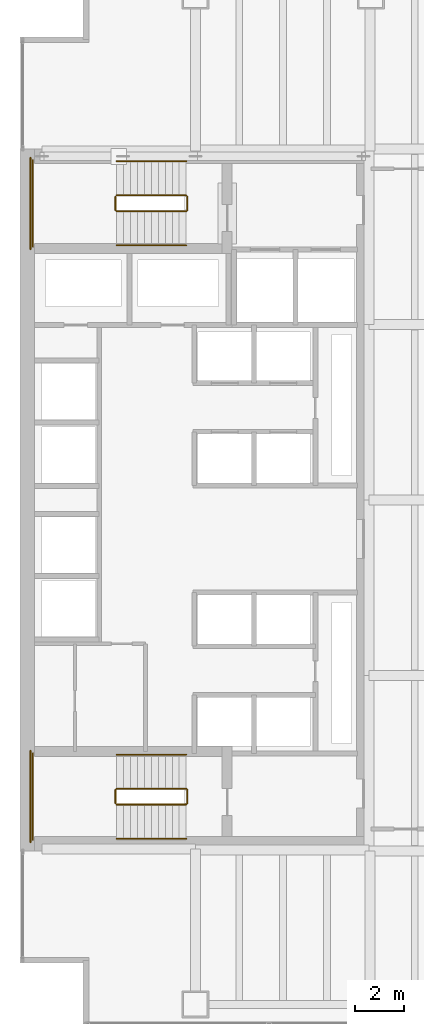
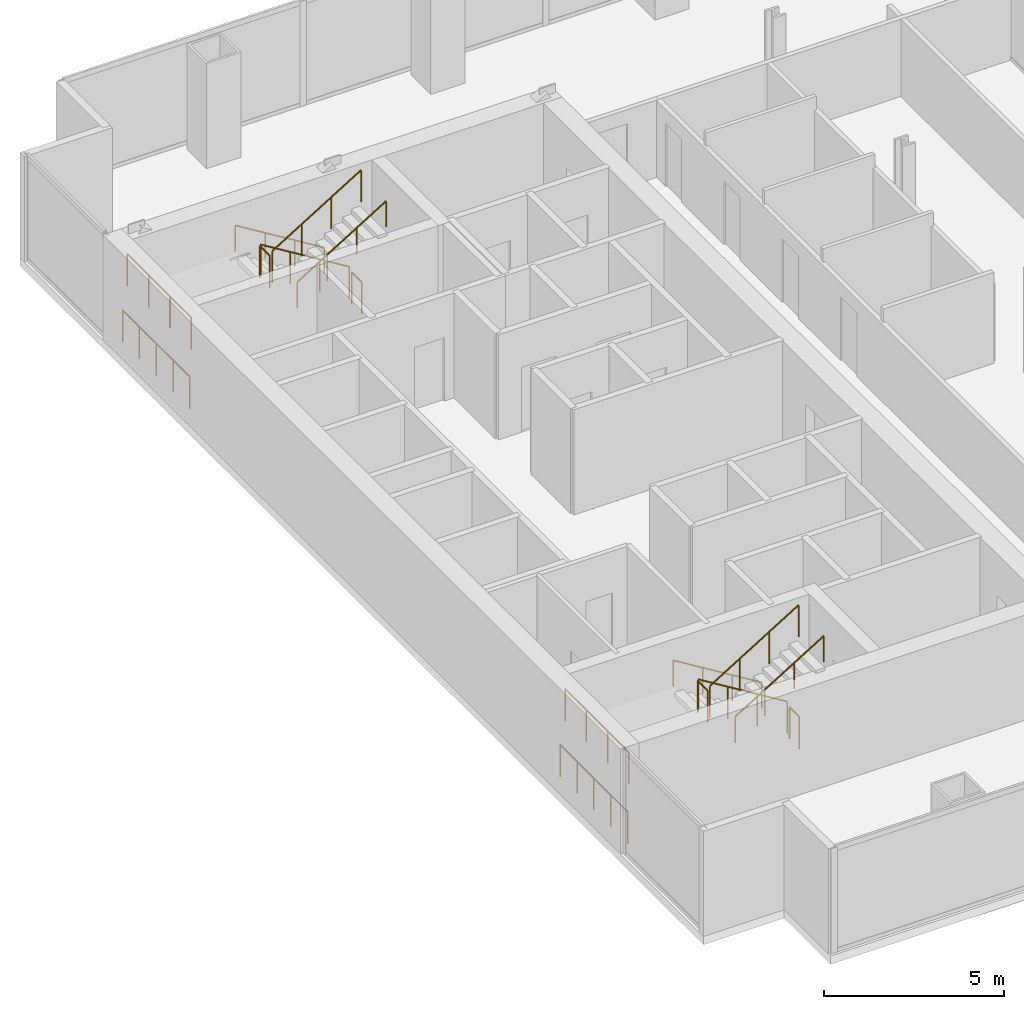
# One storey, part 23 of 23: 16 railings.
"""IFC4 building model written with IfcOpenShell, lengths in metres."""

from ifc_helpers import new_model, si_unit, direction, frame, origin, origin_2d, place, context, subcontext, project, spatial, circle, extrude, material, type_object, element, save


model = new_model("IFC4")

# Units and contexts
model_context = context("Model", 3, precision=1e-05, world=origin(), true_north=direction((0.0, 1.0)))
body_context = subcontext(model_context, "Body", "Model", "MODEL_VIEW")
ifc_project = project(units=[si_unit("LENGTHUNIT", "METRE"), si_unit("AREAUNIT", "SQUARE_METRE"), si_unit("VOLUMEUNIT", "CUBIC_METRE"), si_unit("PLANEANGLEUNIT", "RADIAN"), si_unit("MASSUNIT", "GRAM", prefix="KILO")], contexts=[model_context])

# Site, building, storey
site_placement = place(None, origin())
site = spatial("IfcSite", under=ifc_project, at=site_placement, CompositionType="ELEMENT")
building_placement = place(site_placement, origin())
building = spatial("IfcBuilding", under=site, at=building_placement, Name="Cobrela Telecom Tower", CompositionType="ELEMENT")
storey_placement = place(building_placement, frame((0.0, 0.0, 38.85009765625)))
storey = spatial("IfcBuildingStorey", under=building, at=storey_placement, Name="L09", CompositionType="ELEMENT", Elevation=38.85009765625)

# Railings
ifc_material = material(Name="Steel ASTM A36", Category="steel")
railing_type_1 = type_object("IfcRailingType", Name="RAIL-GUARD-1100", PredefinedType="GUARDRAIL", material=ifc_material)
railing_1_placement = place(storey_placement, frame((6.820068359375, 34.10009765625, 0.1748046875)))
element("IfcRailing", 1, at=railing_1_placement, inside=storey, type_object=railing_type_1, Name="L09 ST1 stair guard 1", PredefinedType="GUARDRAIL", context=body_context, shape_type="SweptSolid", body=[
    extrude(circle(Radius=0.02392578125, at=origin_2d()), frame((0.0, 0.0, 1.076171875), z_axis=(-0.852179220489, 0.0, 0.52325001306), x_axis=(0.0, -1.0, 0.0)), (0.0, 0.0, 1.0), 3.344482421875),
    extrude(circle(Radius=0.02099609375, at=origin_2d()), origin(), (0.0, 0.0, 1.0), 1.052001953125),
    extrude(circle(Radius=0.02099609375, at=origin_2d()), frame((-0.949951171875, 0.0, 0.583251953125)), (0.0, 0.0, 1.0), 1.052001953125),
    extrude(circle(Radius=0.02099609375, at=origin_2d()), frame((-1.900146484375, 0.0, 1.166748046875)), (0.0, 0.0, 1.0), 1.052001953125),
    extrude(circle(Radius=0.02099609375, at=origin_2d()), frame((-2.85009765625, 0.0, 1.75)), (0.0, 0.0, 1.0), 1.052001953125),
])
railing_2_placement = place(storey_placement, frame((3.919921875, 34.050048828125, 1.9248046875)))
element("IfcRailing", 2, at=railing_2_placement, inside=storey, type_object=railing_type_1, Name="L09 ST1 stair guard 2", PredefinedType="GUARDRAIL", context=body_context, shape_type="SweptSolid", body=[
    extrude(circle(Radius=0.02392578125, at=origin_2d()), frame((0.0, 0.0, 1.076171875), z_axis=(0.0, -1.0, 0.0), x_axis=(1.0, 0.0, 0.0)), (0.0, 0.0, 1.0), 0.550048828125),
    extrude(circle(Radius=0.02099609375, at=origin_2d()), origin(), (0.0, 0.0, 1.0), 1.052001953125),
    extrude(circle(Radius=0.02099609375, at=origin_2d()), frame((0.0, -0.550048828125, 0.0)), (0.0, 0.0, 1.0), 1.052001953125),
])
railing_3_placement = place(storey_placement, frame((0.530029296875, 35.550048828125, 1.9248046875)))
element("IfcRailing", 3, at=railing_3_placement, inside=storey, type_object=railing_type_1, Name="L09 ST1 stair guard 3", PredefinedType="GUARDRAIL", context=body_context, shape_type="SweptSolid", body=[
    extrude(circle(Radius=0.02392578125, at=origin_2d()), frame((0.0, 0.0, 1.076171875), z_axis=(0.0, -1.0, 0.0), x_axis=(1.0, 0.0, 0.0)), (0.0, 0.0, 1.0), 3.550048828125),
    extrude(circle(Radius=0.02099609375, at=origin_2d()), origin(), (0.0, 0.0, 1.0), 1.052001953125),
    extrude(circle(Radius=0.02099609375, at=origin_2d()), frame((0.0, -1.183349609375, 0.0)), (0.0, 0.0, 1.0), 1.052001953125),
    extrude(circle(Radius=0.02099609375, at=origin_2d()), frame((0.0, -2.36669921875, 0.0)), (0.0, 0.0, 1.0), 1.052001953125),
    extrude(circle(Radius=0.02099609375, at=origin_2d()), frame((0.0, -3.550048828125, 0.0)), (0.0, 0.0, 1.0), 1.052001953125),
])
railing_4_placement = place(storey_placement, frame((3.969970703125, 33.449951171875, 2.099853515625)))
element("IfcRailing", 4, at=railing_4_placement, inside=storey, type_object=railing_type_1, Name="L09 ST1 stair guard 4", PredefinedType="GUARDRAIL", context=body_context, shape_type="SweptSolid", body=[
    extrude(circle(Radius=0.02392578125, at=origin_2d()), frame((0.0, 0.0, 1.076171875), z_axis=(0.852179220489, 0.0, 0.52325001306), x_axis=(0.0, 1.0, 0.0)), (0.0, 0.0, 1.0), 3.344482421875),
    extrude(circle(Radius=0.02099609375, at=origin_2d()), origin(), (0.0, 0.0, 1.0), 1.052001953125),
    extrude(circle(Radius=0.02099609375, at=origin_2d()), frame((0.949951171875, 0.0, 0.583251953125)), (0.0, 0.0, 1.0), 1.052001953125),
    extrude(circle(Radius=0.02099609375, at=origin_2d()), frame((1.900146484375, 0.0, 1.166748046875)), (0.0, 0.0, 1.0), 1.052001953125),
    extrude(circle(Radius=0.02099609375, at=origin_2d()), frame((2.85009765625, 0.0, 1.75)), (0.0, 0.0, 1.0), 1.052001953125),
])
railing_5_placement = place(storey_placement, frame((6.8701171875, 34.050048828125, 0.0)))
element("IfcRailing", 5, at=railing_5_placement, inside=storey, type_object=railing_type_1, Name="L09 ST1 stair guard 5", PredefinedType="GUARDRAIL", context=body_context, shape_type="SweptSolid", body=[
    extrude(circle(Radius=0.02392578125, at=origin_2d()), frame((0.0, 0.0, 1.076171875), z_axis=(0.0, -1.0, 0.0), x_axis=(1.0, 0.0, 0.0)), (0.0, 0.0, 1.0), 0.550048828125),
    extrude(circle(Radius=0.02099609375, at=origin_2d()), origin(), (0.0, 0.0, 1.0), 1.052001953125),
    extrude(circle(Radius=0.02099609375, at=origin_2d()), frame((0.0, -0.550048828125, 0.0)), (0.0, 0.0, 1.0), 1.052001953125),
])
railing_6_placement = place(storey_placement, frame((0.429931640625, 35.64990234375, 0.0)))
element("IfcRailing", 6, at=railing_6_placement, inside=storey, type_object=railing_type_1, Name="L09 ST1 stair guard 6", PredefinedType="GUARDRAIL", context=body_context, shape_type="SweptSolid", body=[
    extrude(circle(Radius=0.02392578125, at=origin_2d()), frame((0.0, 0.0, 1.076171875), z_axis=(0.0, -1.0, 0.0), x_axis=(1.0, 0.0, 0.0)), (0.0, 0.0, 1.0), 3.75),
    extrude(circle(Radius=0.02099609375, at=origin_2d()), origin(), (0.0, 0.0, 1.0), 1.052001953125),
    extrude(circle(Radius=0.02099609375, at=origin_2d()), frame((0.0, -0.9375, 0.0)), (0.0, 0.0, 1.0), 1.052001953125),
    extrude(circle(Radius=0.02099609375, at=origin_2d()), frame((0.0, -1.875, 0.0)), (0.0, 0.0, 1.0), 1.052001953125),
    extrude(circle(Radius=0.02099609375, at=origin_2d()), frame((0.0, -2.8125, 0.0)), (0.0, 0.0, 1.0), 1.052001953125),
    extrude(circle(Radius=0.02099609375, at=origin_2d()), frame((0.0, -3.75, 0.0)), (0.0, 0.0, 1.0), 1.052001953125),
])
railing_7_placement = place(storey_placement, frame((6.820068359375, 9.75, 0.1748046875)))
element("IfcRailing", 7, at=railing_7_placement, inside=storey, type_object=railing_type_1, Name="L09 ST2 stair guard 1", PredefinedType="GUARDRAIL", context=body_context, shape_type="SweptSolid", body=[
    extrude(circle(Radius=0.02392578125, at=origin_2d()), frame((0.0, 0.0, 1.076171875), z_axis=(-0.852179220489, 0.0, 0.52325001306), x_axis=(0.0, -1.0, 0.0)), (0.0, 0.0, 1.0), 3.344482421875),
    extrude(circle(Radius=0.02099609375, at=origin_2d()), origin(), (0.0, 0.0, 1.0), 1.052001953125),
    extrude(circle(Radius=0.02099609375, at=origin_2d()), frame((-0.949951171875, 0.0, 0.583251953125)), (0.0, 0.0, 1.0), 1.052001953125),
    extrude(circle(Radius=0.02099609375, at=origin_2d()), frame((-1.900146484375, 0.0, 1.166748046875)), (0.0, 0.0, 1.0), 1.052001953125),
    extrude(circle(Radius=0.02099609375, at=origin_2d()), frame((-2.85009765625, 0.0, 1.75)), (0.0, 0.0, 1.0), 1.052001953125),
])
railing_8_placement = place(storey_placement, frame((3.919921875, 9.699951171875, 1.9248046875)))
element("IfcRailing", 8, at=railing_8_placement, inside=storey, type_object=railing_type_1, Name="L09 ST2 stair guard 2", PredefinedType="GUARDRAIL", context=body_context, shape_type="SweptSolid", body=[
    extrude(circle(Radius=0.02392578125, at=origin_2d()), frame((0.0, 0.0, 1.076171875), z_axis=(0.0, -1.0, 0.0), x_axis=(1.0, 0.0, 0.0)), (0.0, 0.0, 1.0), 0.550048828125),
    extrude(circle(Radius=0.02099609375, at=origin_2d()), origin(), (0.0, 0.0, 1.0), 1.052001953125),
    extrude(circle(Radius=0.02099609375, at=origin_2d()), frame((0.0, -0.550048828125, 0.0)), (0.0, 0.0, 1.0), 1.052001953125),
])
railing_9_placement = place(storey_placement, frame((0.530029296875, 11.199951171875, 1.9248046875)))
element("IfcRailing", 9, at=railing_9_placement, inside=storey, type_object=railing_type_1, Name="L09 ST2 stair guard 3", PredefinedType="GUARDRAIL", context=body_context, shape_type="SweptSolid", body=[
    extrude(circle(Radius=0.02392578125, at=origin_2d()), frame((0.0, 0.0, 1.076171875), z_axis=(0.0, -1.0, 0.0), x_axis=(1.0, 0.0, 0.0)), (0.0, 0.0, 1.0), 3.550048828125),
    extrude(circle(Radius=0.02099609375, at=origin_2d()), origin(), (0.0, 0.0, 1.0), 1.052001953125),
    extrude(circle(Radius=0.02099609375, at=origin_2d()), frame((0.0, -1.183349609375, 0.0)), (0.0, 0.0, 1.0), 1.052001953125),
    extrude(circle(Radius=0.02099609375, at=origin_2d()), frame((0.0, -2.36669921875, 0.0)), (0.0, 0.0, 1.0), 1.052001953125),
    extrude(circle(Radius=0.02099609375, at=origin_2d()), frame((0.0, -3.550048828125, 0.0)), (0.0, 0.0, 1.0), 1.052001953125),
])
railing_10_placement = place(storey_placement, frame((3.969970703125, 9.10009765625, 2.099853515625)))
element("IfcRailing", 10, at=railing_10_placement, inside=storey, type_object=railing_type_1, Name="L09 ST2 stair guard 4", PredefinedType="GUARDRAIL", context=body_context, shape_type="SweptSolid", body=[
    extrude(circle(Radius=0.02392578125, at=origin_2d()), frame((0.0, 0.0, 1.076171875), z_axis=(0.852179220489, 0.0, 0.52325001306), x_axis=(0.0, 1.0, 0.0)), (0.0, 0.0, 1.0), 3.344482421875),
    extrude(circle(Radius=0.02099609375, at=origin_2d()), origin(), (0.0, 0.0, 1.0), 1.052001953125),
    extrude(circle(Radius=0.02099609375, at=origin_2d()), frame((0.949951171875, 0.0, 0.583251953125)), (0.0, 0.0, 1.0), 1.052001953125),
    extrude(circle(Radius=0.02099609375, at=origin_2d()), frame((1.900146484375, 0.0, 1.166748046875)), (0.0, 0.0, 1.0), 1.052001953125),
    extrude(circle(Radius=0.02099609375, at=origin_2d()), frame((2.85009765625, 0.0, 1.75)), (0.0, 0.0, 1.0), 1.052001953125),
])
railing_11_placement = place(storey_placement, frame((6.8701171875, 9.699951171875, 0.0)))
element("IfcRailing", 11, at=railing_11_placement, inside=storey, type_object=railing_type_1, Name="L09 ST2 stair guard 5", PredefinedType="GUARDRAIL", context=body_context, shape_type="SweptSolid", body=[
    extrude(circle(Radius=0.02392578125, at=origin_2d()), frame((0.0, 0.0, 1.076171875), z_axis=(0.0, -1.0, 0.0), x_axis=(1.0, 0.0, 0.0)), (0.0, 0.0, 1.0), 0.550048828125),
    extrude(circle(Radius=0.02099609375, at=origin_2d()), origin(), (0.0, 0.0, 1.0), 1.052001953125),
    extrude(circle(Radius=0.02099609375, at=origin_2d()), frame((0.0, -0.550048828125, 0.0)), (0.0, 0.0, 1.0), 1.052001953125),
])
railing_12_placement = place(storey_placement, frame((0.429931640625, 11.300048828125, 0.0)))
element("IfcRailing", 12, at=railing_12_placement, inside=storey, type_object=railing_type_1, Name="L09 ST2 stair guard 6", PredefinedType="GUARDRAIL", context=body_context, shape_type="SweptSolid", body=[
    extrude(circle(Radius=0.02392578125, at=origin_2d()), frame((0.0, 0.0, 1.076171875), z_axis=(0.0, -1.0, 0.0), x_axis=(1.0, 0.0, 0.0)), (0.0, 0.0, 1.0), 3.75),
    extrude(circle(Radius=0.02099609375, at=origin_2d()), origin(), (0.0, 0.0, 1.0), 1.052001953125),
    extrude(circle(Radius=0.02099609375, at=origin_2d()), frame((0.0, -0.9375, 0.0)), (0.0, 0.0, 1.0), 1.052001953125),
    extrude(circle(Radius=0.02099609375, at=origin_2d()), frame((0.0, -1.875, 0.0)), (0.0, 0.0, 1.0), 1.052001953125),
    extrude(circle(Radius=0.02099609375, at=origin_2d()), frame((0.0, -2.8125, 0.0)), (0.0, 0.0, 1.0), 1.052001953125),
    extrude(circle(Radius=0.02099609375, at=origin_2d()), frame((0.0, -3.75, 0.0)), (0.0, 0.0, 1.0), 1.052001953125),
])
railing_type_2 = type_object("IfcRailingType", Name="RAIL-HAND-920", PredefinedType="HANDRAIL", material=ifc_material)
railing_13_placement = place(storey_placement, frame((6.820068359375, 35.5, 0.1748046875)))
element("IfcRailing", 13, at=railing_13_placement, inside=storey, type_object=railing_type_2, Name="L09 ST1 stair handrail 1", PredefinedType="HANDRAIL", context=body_context, shape_type="SweptSolid", body=[
    extrude(circle(Radius=0.02392578125, at=origin_2d()), frame((0.0, 0.0, 0.8759765625), z_axis=(-0.852179220489, 0.0, 0.52325001306), x_axis=(0.0, -1.0, 0.0)), (0.0, 0.0, 1.0), 3.344482421875),
    extrude(circle(Radius=0.02099609375, at=origin_2d()), origin(), (0.0, 0.0, 1.0), 0.851806640625),
    extrude(circle(Radius=0.02099609375, at=origin_2d()), frame((-0.949951171875, 0.0, 0.583251953125)), (0.0, 0.0, 1.0), 0.851806640625),
    extrude(circle(Radius=0.02099609375, at=origin_2d()), frame((-1.900146484375, 0.0, 1.166748046875)), (0.0, 0.0, 1.0), 0.851806640625),
    extrude(circle(Radius=0.02099609375, at=origin_2d()), frame((-2.85009765625, 0.0, 1.75)), (0.0, 0.0, 1.0), 0.851806640625),
])
railing_14_placement = place(storey_placement, frame((3.969970703125, 32.050048828125, 2.099853515625)))
element("IfcRailing", 14, at=railing_14_placement, inside=storey, type_object=railing_type_2, Name="L09 ST1 stair handrail 2", PredefinedType="HANDRAIL", context=body_context, shape_type="SweptSolid", body=[
    extrude(circle(Radius=0.02392578125, at=origin_2d()), frame((0.0, 0.0, 0.8759765625), z_axis=(0.852179220489, 0.0, 0.52325001306), x_axis=(0.0, 1.0, 0.0)), (0.0, 0.0, 1.0), 3.344482421875),
    extrude(circle(Radius=0.02099609375, at=origin_2d()), origin(), (0.0, 0.0, 1.0), 0.851806640625),
    extrude(circle(Radius=0.02099609375, at=origin_2d()), frame((0.949951171875, 0.0, 0.583251953125)), (0.0, 0.0, 1.0), 0.851806640625),
    extrude(circle(Radius=0.02099609375, at=origin_2d()), frame((1.900146484375, 0.0, 1.166748046875)), (0.0, 0.0, 1.0), 0.851806640625),
    extrude(circle(Radius=0.02099609375, at=origin_2d()), frame((2.85009765625, 0.0, 1.75)), (0.0, 0.0, 1.0), 0.851806640625),
])
railing_15_placement = place(storey_placement, frame((6.820068359375, 11.14990234375, 0.1748046875)))
element("IfcRailing", 15, at=railing_15_placement, inside=storey, type_object=railing_type_2, Name="L09 ST2 stair handrail 1", PredefinedType="HANDRAIL", context=body_context, shape_type="SweptSolid", body=[
    extrude(circle(Radius=0.02392578125, at=origin_2d()), frame((0.0, 0.0, 0.8759765625), z_axis=(-0.852179220489, 0.0, 0.52325001306), x_axis=(0.0, -1.0, 0.0)), (0.0, 0.0, 1.0), 3.344482421875),
    extrude(circle(Radius=0.02099609375, at=origin_2d()), origin(), (0.0, 0.0, 1.0), 0.851806640625),
    extrude(circle(Radius=0.02099609375, at=origin_2d()), frame((-0.949951171875, 0.0, 0.583251953125)), (0.0, 0.0, 1.0), 0.851806640625),
    extrude(circle(Radius=0.02099609375, at=origin_2d()), frame((-1.900146484375, 0.0, 1.166748046875)), (0.0, 0.0, 1.0), 0.851806640625),
    extrude(circle(Radius=0.02099609375, at=origin_2d()), frame((-2.85009765625, 0.0, 1.75)), (0.0, 0.0, 1.0), 0.851806640625),
])
railing_16_placement = place(storey_placement, frame((3.969970703125, 7.699951171875, 2.099853515625)))
element("IfcRailing", 16, at=railing_16_placement, inside=storey, type_object=railing_type_2, Name="L09 ST2 stair handrail 2", PredefinedType="HANDRAIL", context=body_context, shape_type="SweptSolid", body=[
    extrude(circle(Radius=0.02392578125, at=origin_2d()), frame((0.0, 0.0, 0.8759765625), z_axis=(0.852179220489, 0.0, 0.52325001306), x_axis=(0.0, 1.0, 0.0)), (0.0, 0.0, 1.0), 3.344482421875),
    extrude(circle(Radius=0.02099609375, at=origin_2d()), origin(), (0.0, 0.0, 1.0), 0.851806640625),
    extrude(circle(Radius=0.02099609375, at=origin_2d()), frame((0.949951171875, 0.0, 0.583251953125)), (0.0, 0.0, 1.0), 0.851806640625),
    extrude(circle(Radius=0.02099609375, at=origin_2d()), frame((1.900146484375, 0.0, 1.166748046875)), (0.0, 0.0, 1.0), 0.851806640625),
    extrude(circle(Radius=0.02099609375, at=origin_2d()), frame((2.85009765625, 0.0, 1.75)), (0.0, 0.0, 1.0), 0.851806640625),
])

save(model, "model.ifc")
